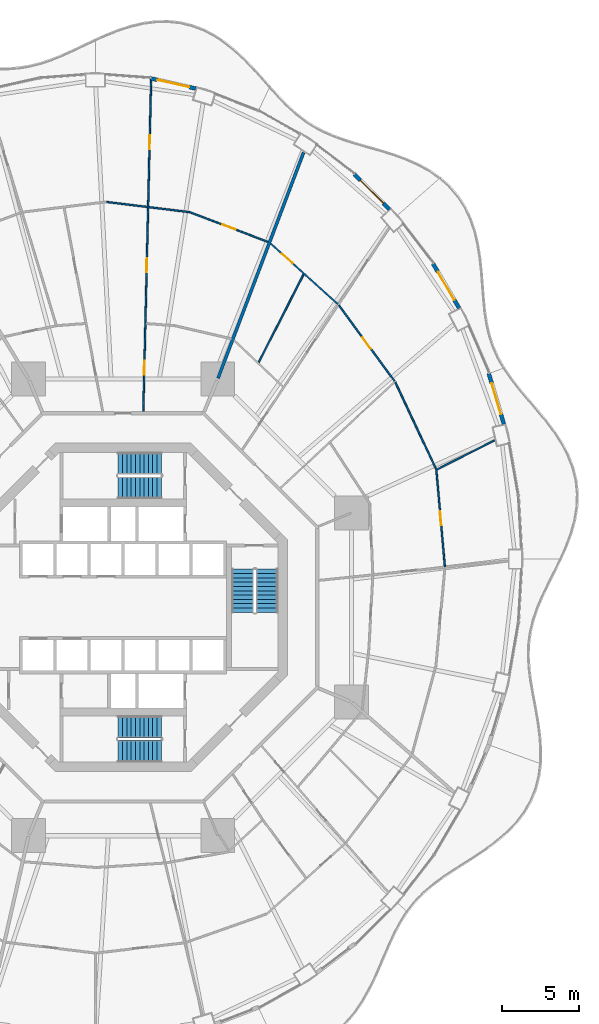
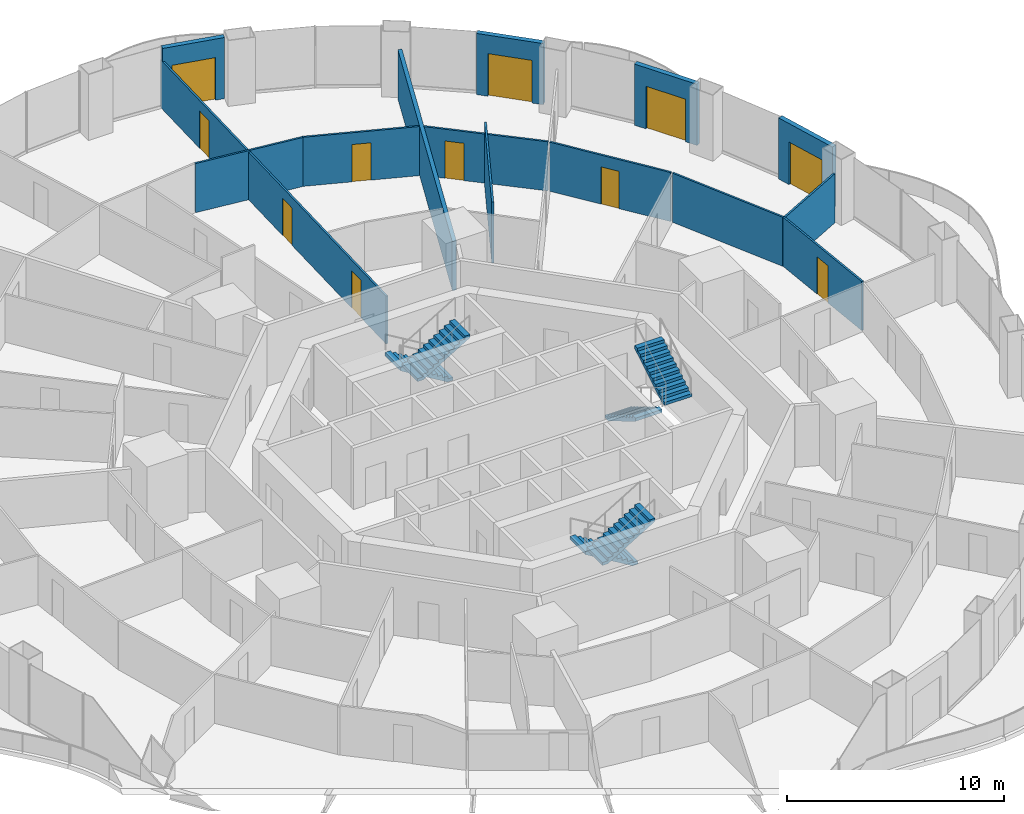
# One storey, part 19 of 22: 14 walls, 11 doors, 6 stair flights, 11 openings, 3 elements without a shape of their own.
"""IFC4 building model written with IfcOpenShell, lengths in metres."""

from ifc_helpers import new_model, si_unit, direction, frame, frame_2d, origin, place, context, subcontext, project, spatial, polyline, rectangle, outline, extrude, material, layer, layer_set, type_object, element, fill, aggregate, save


model = new_model("IFC4")

# Units and contexts
model_context = context("Model", 3, precision=1e-05, world=origin(), true_north=direction((0.0, 1.0)))
body_context = subcontext(model_context, "Body", "Model", "MODEL_VIEW")
ifc_project = project(units=[si_unit("LENGTHUNIT", "METRE"), si_unit("AREAUNIT", "SQUARE_METRE"), si_unit("VOLUMEUNIT", "CUBIC_METRE"), si_unit("PLANEANGLEUNIT", "RADIAN"), si_unit("MASSUNIT", "GRAM", prefix="KILO")], contexts=[model_context])

# Site, building, storey
site_placement = place(None, origin())
site = spatial("IfcSite", under=ifc_project, at=site_placement, CompositionType="ELEMENT")
building_placement = place(site_placement, origin())
building = spatial("IfcBuilding", under=site, at=building_placement, Name="Nagisa Residences", CompositionType="ELEMENT")
storey_placement = place(building_placement, frame((0.0, 0.0, 95.5)))
storey = spatial("IfcBuildingStorey", under=building, at=storey_placement, Name="L23", CompositionType="ELEMENT", Elevation=95.5)

# Wall
ifc_material_1 = material(Name="Gypsum board on steel studs", Category="steel")
ifc_layer_1 = layer(ifc_material_1, 0.199951171875)
ifc_layer_set_1 = layer_set([ifc_layer_1], Name="Apartment compartment wall EI60 200")
wall_type_1 = type_object("IfcWallType", Name="Apartment compartment wall EI60 200", PredefinedType="PARTITIONING", material=ifc_layer_set_1)
wall_1_placement = place(storey_placement, frame((6.140625, 14.828857421875, 0.0), z_axis=(0.0, 0.0, 1.0), x_axis=(0.354477134193, 0.935064682968, 0.0)))
element("IfcWall", 1, at=wall_1_placement, inside=storey, type_object=wall_type_1, Name="wall:L23:u01", PredefinedType="PARTITIONING", context=body_context, shape_type="SweptSolid", body=[
    extrude(rectangle(XDim=15.6259765625, YDim=0.199951171875, at=frame_2d((7.81298828125, 0.0))), origin(), (0.0, 0.0, 1.0), 2.761962890625),
])

# Wall, opening, door
ifc_material_2 = material(Name="Gypsum board on steel studs", Category="steel")
ifc_layer_2 = layer(ifc_material_2, 0.10009765625)
ifc_layer_set_2 = layer_set([ifc_layer_2], Name="Apartment partition 100")
wall_type_2 = type_object("IfcWallType", Name="Apartment partition 100", PredefinedType="PARTITIONING", material=ifc_layer_set_2)
wall_2_placement = place(storey_placement, frame((20.8251953125, 2.64208984375, 0.0), z_axis=(0.0, 0.0, 1.0), x_axis=(-0.08776338161, 0.996141349834, 0.0)))
wall_2 = element("IfcWall", 2, at=wall_2_placement, inside=storey, type_object=wall_type_2, Name="wall:L23:u21", PredefinedType="PARTITIONING", context=body_context, shape_type="SweptSolid", body=[
    extrude(rectangle(XDim=6.3369140625, YDim=0.10009765625, at=frame_2d((3.16845703125, 0.0))), origin(), (0.0, 0.0, 1.0), 2.761962890625),
])
opening_1_placement = place(wall_2_placement, frame((2.693603515625, 0.0, 0.0)))
opening_1 = element("IfcOpeningElement", 3, at=opening_1_placement, cuts=wall_2, Name="Opening L23-U33", PredefinedType="OPENING", context=body_context, shape_type="SweptSolid", body=[
    extrude(rectangle(XDim=0.89990234375, YDim=2.10009765625, at=frame_2d((0.449951171875, 1.050048828125))), frame((0.0, 0.06005859375, 0.0), z_axis=(0.0, -1.0, 0.0), x_axis=(1.0, 0.0, 0.0)), (0.0, 0.0, 1.0), 0.1201171875),
])
ifc_material_3 = material(Name="Timber door set", Category="wood")
door_type_1 = type_object("IfcDoorType", Name="Apartment door 900x2100", OperationType="NOTDEFINED", PredefinedType="DOOR", material=ifc_material_3)
door_1_placement = place(opening_1_placement, frame((0.89990234375, 0.0, 0.0), x_axis=(-1.0, 0.0, 0.0)))
door_1 = element("IfcDoor", 4, at=door_1_placement, inside=storey, type_object=door_type_1, Name="Door to bedroom, Apartment 23C", OperationType="SINGLE_SWING_RIGHT", OverallHeight=2.10009765625, OverallWidth=0.89990234375, PredefinedType="DOOR", context=body_context, shape_type="SweptSolid", body=[
    extrude(rectangle(XDim=0.89990234375, YDim=2.10009765625, at=frame_2d((0.449951171875, 1.050048828125))), frame((0.0, 0.02490234375, 0.0), z_axis=(0.0, -1.0, 0.0), x_axis=(1.0, 0.0, 0.0)), (0.0, 0.0, 1.0), 0.050048828125),
])
fill(opening_1, door_1)

# Walls
wall_3_placement = place(storey_placement, frame((20.318115234375, 8.92724609375, 0.0), z_axis=(0.0, 0.0, 1.0), x_axis=(0.892057836959, 0.451921249246, 0.0)))
element("IfcWall", 5, at=wall_3_placement, inside=storey, type_object=wall_type_2, Name="wall:L23:u25", PredefinedType="PARTITIONING", context=body_context, shape_type="SweptSolid", body=[
    extrude(rectangle(XDim=4.1640625, YDim=0.10009765625, at=frame_2d((2.08203125, 0.0))), origin(), (0.0, 0.0, 1.0), 2.761962890625),
])
wall_4_placement = place(storey_placement, frame((20.252197265625, 8.949951171875, 0.0), z_axis=(0.0, 0.0, 1.0), x_axis=(-0.424580052627, 0.90539040138, 0.0)))
element("IfcWall", 6, at=wall_4_placement, inside=storey, type_object=wall_type_2, Name="wall:L23:u26", PredefinedType="PARTITIONING", context=body_context, shape_type="SweptSolid", body=[
    extrude(rectangle(XDim=6.204345703125, YDim=0.10009765625, at=frame_2d((3.10205078125, 0.0))), origin(), (0.0, 0.0, 1.0), 2.761962890625),
])

# Wall, opening, door
wall_5_placement = place(storey_placement, frame((17.567138671875, 14.65283203125, 0.0), z_axis=(0.0, 0.0, 1.0), x_axis=(-0.592391983588, 0.80564988536, 0.0)))
wall_5 = element("IfcWall", 7, at=wall_5_placement, inside=storey, type_object=wall_type_2, Name="wall:L23:u28", PredefinedType="PARTITIONING", context=body_context, shape_type="SweptSolid", body=[
    extrude(rectangle(XDim=6.080078125, YDim=0.10009765625, at=frame_2d((3.0400390625, 0.0))), origin(), (0.0, 0.0, 1.0), 2.761962890625),
])
opening_2_placement = place(wall_5_placement, frame((2.590087890625, 0.0, 0.0)))
opening_2 = element("IfcOpeningElement", 8, at=opening_2_placement, cuts=wall_5, Name="Opening L23-U34", PredefinedType="OPENING", context=body_context, shape_type="SweptSolid", body=[
    extrude(rectangle(XDim=0.89990234375, YDim=2.10009765625, at=frame_2d((0.449951171875, 1.050048828125))), frame((0.0, 0.06005859375, 0.0), z_axis=(0.0, -1.0, 0.0), x_axis=(1.0, 0.0, 0.0)), (0.0, 0.0, 1.0), 0.1201171875),
])
door_2_placement = place(opening_2_placement, frame((0.89990234375, 0.0, 0.0), x_axis=(-1.0, 0.0, 0.0)))
door_2 = element("IfcDoor", 9, at=door_2_placement, inside=storey, type_object=door_type_1, Name="Door to living room, Apartment 23C", OperationType="SINGLE_SWING_LEFT", OverallHeight=2.10009765625, OverallWidth=0.89990234375, PredefinedType="DOOR", context=body_context, shape_type="SweptSolid", body=[
    extrude(rectangle(XDim=0.89990234375, YDim=2.10009765625, at=frame_2d((0.449951171875, 1.050048828125))), frame((0.0, 0.02490234375, 0.0), z_axis=(0.0, -1.0, 0.0), x_axis=(1.0, 0.0, 0.0)), (0.0, 0.0, 1.0), 0.050048828125),
])
fill(opening_2, door_2)

wall_6_placement = place(storey_placement, frame((13.8984375, 19.625244140625, 0.0), z_axis=(0.0, 0.0, 1.0), x_axis=(-0.742396654702, 0.669960601146, 0.0)))
wall_6 = element("IfcWall", 10, at=wall_6_placement, inside=storey, type_object=wall_type_2, Name="wall:L23:u31", PredefinedType="PARTITIONING", context=body_context, shape_type="SweptSolid", body=[
    extrude(rectangle(XDim=5.861083984375, YDim=0.10009765625, at=frame_2d((2.9306640625, 0.0))), origin(), (0.0, 0.0, 1.0), 2.761962890625),
])
opening_3_placement = place(wall_6_placement, frame((3.95849609375, 0.0, 0.0)))
opening_3 = element("IfcOpeningElement", 11, at=opening_3_placement, cuts=wall_6, Name="Opening L23-U38", PredefinedType="OPENING", context=body_context, shape_type="SweptSolid", body=[
    extrude(rectangle(XDim=0.89990234375, YDim=2.10009765625, at=frame_2d((0.449951171875, 1.050048828125))), frame((0.0, 0.06005859375, 0.0), z_axis=(0.0, -1.0, 0.0), x_axis=(1.0, 0.0, 0.0)), (0.0, 0.0, 1.0), 0.1201171875),
])
door_3_placement = place(opening_3_placement, origin())
door_3 = element("IfcDoor", 12, at=door_3_placement, inside=storey, type_object=door_type_1, Name="Door to en-suite bathroom, Apartment 23C", OperationType="SINGLE_SWING_RIGHT", OverallHeight=2.10009765625, OverallWidth=0.89990234375, PredefinedType="DOOR", context=body_context, shape_type="SweptSolid", body=[
    extrude(rectangle(XDim=0.89990234375, YDim=2.10009765625, at=frame_2d((0.449951171875, 1.050048828125))), frame((0.0, 0.02490234375, 0.0), z_axis=(0.0, -1.0, 0.0), x_axis=(1.0, 0.0, 0.0)), (0.0, 0.0, 1.0), 0.050048828125),
])
fill(opening_3, door_3)

# Wall
wall_7_placement = place(storey_placement, frame((8.769287109375, 15.84619140625, 0.0), z_axis=(0.0, 0.0, 1.0), x_axis=(0.454067187552, 0.890967445639, 0.0)))
element("IfcWall", 13, at=wall_7_placement, inside=storey, type_object=wall_type_2, Name="wall:L23:u32", PredefinedType="PARTITIONING", context=body_context, shape_type="SweptSolid", body=[
    extrude(rectangle(XDim=6.413818359375, YDim=0.10009765625, at=frame_2d((3.20703125, 0.0))), origin(), (0.0, 0.0, 1.0), 3.43994140625),
])

# Wall, opening, door
wall_8_placement = place(storey_placement, frame((9.37939453125, 23.654541015625, 0.0), z_axis=(0.0, 0.0, 1.0), x_axis=(-0.934609369022, 0.355675873986, 0.0)))
wall_8 = element("IfcWall", 14, at=wall_8_placement, inside=storey, type_object=wall_type_2, Name="wall:L23:u34", PredefinedType="PARTITIONING", context=body_context, shape_type="SweptSolid", body=[
    extrude(rectangle(XDim=5.466552734375, YDim=0.10009765625, at=frame_2d((2.7333984375, 0.0))), origin(), (0.0, 0.0, 1.0), 2.761962890625),
])
opening_4_placement = place(wall_8_placement, frame((2.25830078125, 0.0, 0.0)))
opening_4 = element("IfcOpeningElement", 15, at=opening_4_placement, cuts=wall_8, Name="Opening L23-U47", PredefinedType="OPENING", context=body_context, shape_type="SweptSolid", body=[
    extrude(rectangle(XDim=0.89990234375, YDim=2.10009765625, at=frame_2d((0.449951171875, 1.050048828125))), frame((0.0, 0.06005859375, 0.0), z_axis=(0.0, -1.0, 0.0), x_axis=(1.0, 0.0, 0.0)), (0.0, 0.0, 1.0), 0.1201171875),
])
door_4_placement = place(opening_4_placement, frame((0.89990234375, 0.0, 0.0), x_axis=(-1.0, 0.0, 0.0)))
door_4 = element("IfcDoor", 16, at=door_4_placement, inside=storey, type_object=door_type_1, Name="Door to living room, Apartment 23D", OperationType="SINGLE_SWING_RIGHT", OverallHeight=2.10009765625, OverallWidth=0.89990234375, PredefinedType="DOOR", context=body_context, shape_type="SweptSolid", body=[
    extrude(rectangle(XDim=0.89990234375, YDim=2.10009765625, at=frame_2d((0.449951171875, 1.050048828125))), frame((0.0, 0.02490234375, 0.0), z_axis=(0.0, -1.0, 0.0), x_axis=(1.0, 0.0, 0.0)), (0.0, 0.0, 1.0), 0.050048828125),
])
fill(opening_4, door_4)

# Wall
wall_9_placement = place(storey_placement, frame((4.267333984375, 25.587158203125, 0.0), z_axis=(0.0, 0.0, 1.0), x_axis=(-0.992576206119, 0.121624319302, 0.0)))
element("IfcWall", 17, at=wall_9_placement, inside=storey, type_object=wall_type_2, Name="wall:L23:u36", PredefinedType="PARTITIONING", context=body_context, shape_type="SweptSolid", body=[
    extrude(rectangle(XDim=5.37353515625, YDim=0.10009765625, at=frame_2d((2.686767578125, 0.0))), origin(), (0.0, 0.0, 1.0), 2.761962890625),
])

# Wall, openings, doors
wall_10_placement = place(storey_placement, frame((1.303466796875, 12.664794921875, 0.0), z_axis=(0.0, 0.0, 1.0), x_axis=(0.023564110689, 0.999722327793, 0.0)))
wall_10 = element("IfcWall", 18, at=wall_10_placement, inside=storey, type_object=wall_type_2, Name="wall:L23:u37", PredefinedType="PARTITIONING", context=body_context, shape_type="SweptSolid", body=[
    extrude(rectangle(XDim=21.664306640625, YDim=0.10009765625, at=frame_2d((10.83203125, 0.0))), origin(), (0.0, 0.0, 1.0), 2.68701171875),
])
opening_5_placement = place(wall_10_placement, frame((2.407470703125, 0.0, 0.0)))
opening_5 = element("IfcOpeningElement", 19, at=opening_5_placement, cuts=wall_10, Name="Opening L23-U42", PredefinedType="OPENING", context=body_context, shape_type="SweptSolid", body=[
    extrude(rectangle(XDim=0.89990234375, YDim=2.10009765625, at=frame_2d((0.449951171875, 1.050048828125))), frame((0.0, 0.06005859375, 0.0), z_axis=(0.0, -1.0, 0.0), x_axis=(1.0, 0.0, 0.0)), (0.0, 0.0, 1.0), 0.1201171875),
])
opening_6_placement = place(wall_10_placement, frame((9.03369140625, 0.0, 0.0)))
opening_6 = element("IfcOpeningElement", 20, at=opening_6_placement, cuts=wall_10, Name="Opening L23-U44", PredefinedType="OPENING", context=body_context, shape_type="SweptSolid", body=[
    extrude(rectangle(XDim=0.89990234375, YDim=2.10009765625, at=frame_2d((0.449951171875, 1.050048828125))), frame((0.0, 0.06005859375, 0.0), z_axis=(0.0, -1.0, 0.0), x_axis=(1.0, 0.0, 0.0)), (0.0, 0.0, 1.0), 0.1201171875),
])
opening_7_placement = place(wall_10_placement, frame((17.008544921875, 0.0, 0.0)))
opening_7 = element("IfcOpeningElement", 21, at=opening_7_placement, cuts=wall_10, Name="Opening L23-U48", PredefinedType="OPENING", context=body_context, shape_type="SweptSolid", body=[
    extrude(rectangle(XDim=0.89990234375, YDim=2.10009765625, at=frame_2d((0.449951171875, 1.050048828125))), frame((0.0, 0.06005859375, 0.0), z_axis=(0.0, -1.0, 0.0), x_axis=(1.0, 0.0, 0.0)), (0.0, 0.0, 1.0), 0.1201171875),
])
door_5_placement = place(opening_5_placement, frame((0.89990234375, 0.0, 0.0), x_axis=(-1.0, 0.0, 0.0)))
door_5 = element("IfcDoor", 22, at=door_5_placement, inside=storey, type_object=door_type_1, Name="Door to laundry, Apartment 23D", OperationType="SINGLE_SWING_LEFT", OverallHeight=2.10009765625, OverallWidth=0.89990234375, PredefinedType="DOOR", context=body_context, shape_type="SweptSolid", body=[
    extrude(rectangle(XDim=0.89990234375, YDim=2.10009765625, at=frame_2d((0.449951171875, 1.050048828125))), frame((0.0, 0.02490234375, 0.0), z_axis=(0.0, -1.0, 0.0), x_axis=(1.0, 0.0, 0.0)), (0.0, 0.0, 1.0), 0.050048828125),
])
fill(opening_5, door_5)
door_6_placement = place(opening_6_placement, frame((0.89990234375, 0.0, 0.0), x_axis=(-1.0, 0.0, 0.0)))
door_6 = element("IfcDoor", 23, at=door_6_placement, inside=storey, type_object=door_type_1, Name="Door to dining room, Apartment 23D", OperationType="SINGLE_SWING_LEFT", OverallHeight=2.10009765625, OverallWidth=0.89990234375, PredefinedType="DOOR", context=body_context, shape_type="SweptSolid", body=[
    extrude(rectangle(XDim=0.89990234375, YDim=2.10009765625, at=frame_2d((0.449951171875, 1.050048828125))), frame((0.0, 0.02490234375, 0.0), z_axis=(0.0, -1.0, 0.0), x_axis=(1.0, 0.0, 0.0)), (0.0, 0.0, 1.0), 0.050048828125),
])
fill(opening_6, door_6)
door_7_placement = place(opening_7_placement, origin())
door_7 = element("IfcDoor", 24, at=door_7_placement, inside=storey, type_object=door_type_1, Name="Door to family room, Apartment 23D", OperationType="SINGLE_SWING_RIGHT", OverallHeight=2.10009765625, OverallWidth=0.89990234375, PredefinedType="DOOR", context=body_context, shape_type="SweptSolid", body=[
    extrude(rectangle(XDim=0.89990234375, YDim=2.10009765625, at=frame_2d((0.449951171875, 1.050048828125))), frame((0.0, 0.02490234375, 0.0), z_axis=(0.0, -1.0, 0.0), x_axis=(1.0, 0.0, 0.0)), (0.0, 0.0, 1.0), 0.050048828125),
])
fill(opening_7, door_7)

# Wall, opening, door
ifc_material_4 = material(Name="Precast concrete C40/50", Category="concrete")
ifc_layer_3 = layer(ifc_material_4, 0.25)
ifc_layer_set_3 = layer_set([ifc_layer_3], Name="BALCONY DOOR WALL 250")
wall_type_3 = type_object("IfcWallType", Name="BALCONY DOOR WALL 250", PredefinedType="SOLIDWALL", material=ifc_layer_set_3)
wall_11_placement = place(storey_placement, frame((23.6669921875, 15.142333984375, 0.0), z_axis=(0.0, 0.0, 1.0), x_axis=(0.285882094477, -0.958264800594, 0.0)))
wall_11 = element("IfcWall", 25, at=wall_11_placement, inside=storey, type_object=wall_type_3, Name="wall:L23:bay02", PredefinedType="SOLIDWALL", context=body_context, shape_type="SweptSolid", body=[
    extrude(rectangle(XDim=3.423583984375, YDim=0.25, at=frame_2d((1.7119140625, 0.0))), origin(), (0.0, 0.0, 1.0), 3.43994140625),
])
opening_8_placement = place(wall_11_placement, frame((0.661865234375, 0.0, 0.0)))
opening_8 = element("IfcOpeningElement", 26, at=opening_8_placement, cuts=wall_11, Name="Opening BD-L23-01", PredefinedType="OPENING", context=body_context, shape_type="SweptSolid", body=[
    extrude(rectangle(XDim=2.10009765625, YDim=2.39990234375, at=frame_2d((1.050048828125, 1.199951171875))), frame((0.0, 0.135009765625, 0.0), z_axis=(0.0, -1.0, 0.0), x_axis=(1.0, 0.0, 0.0)), (0.0, 0.0, 1.0), 0.27001953125),
])
ifc_material_5 = material(Name="Aluminium and clear glass", Category="aluminium")
door_type_2 = type_object("IfcDoorType", Name="BALCONY SLIDING DOOR 2100x2400", OperationType="SLIDING_TO_LEFT", PredefinedType="DOOR", material=ifc_material_5)
door_8_placement = place(opening_8_placement, origin())
door_8 = element("IfcDoor", 27, at=door_8_placement, inside=storey, type_object=door_type_2, Name="door:L23:bay02", OperationType="SLIDING_TO_LEFT", OverallHeight=2.39990234375, OverallWidth=2.10009765625, PredefinedType="DOOR", context=body_context, shape_type="SweptSolid", body=[
    extrude(rectangle(XDim=2.10009765625, YDim=2.39990234375, at=frame_2d((1.050048828125, 1.199951171875))), frame((0.0, 0.02490234375, 0.0), z_axis=(0.0, -1.0, 0.0), x_axis=(1.0, 0.0, 0.0)), (0.0, 0.0, 1.0), 0.050048828125),
])
fill(opening_8, door_8)

wall_12_placement = place(storey_placement, frame((20.064208984375, 22.239501953125, 0.0), z_axis=(0.0, 0.0, 1.0), x_axis=(0.506297921217, -0.862358634775, 0.0)))
wall_12 = element("IfcWall", 28, at=wall_12_placement, inside=storey, type_object=wall_type_3, Name="wall:L23:bay04", PredefinedType="SOLIDWALL", context=body_context, shape_type="SweptSolid", body=[
    extrude(rectangle(XDim=3.32470703125, YDim=0.25, at=frame_2d((1.662353515625, 0.0))), origin(), (0.0, 0.0, 1.0), 3.43994140625),
])
opening_9_placement = place(wall_12_placement, frame((0.6123046875, 0.0, 0.0)))
opening_9 = element("IfcOpeningElement", 29, at=opening_9_placement, cuts=wall_12, Name="Opening BD-L23-02", PredefinedType="OPENING", context=body_context, shape_type="SweptSolid", body=[
    extrude(rectangle(XDim=2.10009765625, YDim=2.39990234375, at=frame_2d((1.050048828125, 1.199951171875))), frame((0.0, 0.135009765625, 0.0), z_axis=(0.0, -1.0, 0.0), x_axis=(1.0, 0.0, 0.0)), (0.0, 0.0, 1.0), 0.27001953125),
])
door_9_placement = place(opening_9_placement, origin())
door_9 = element("IfcDoor", 30, at=door_9_placement, inside=storey, type_object=door_type_2, Name="door:L23:bay04", OperationType="SLIDING_TO_LEFT", OverallHeight=2.39990234375, OverallWidth=2.10009765625, PredefinedType="DOOR", context=body_context, shape_type="SweptSolid", body=[
    extrude(rectangle(XDim=2.10009765625, YDim=2.39990234375, at=frame_2d((1.050048828125, 1.199951171875))), frame((0.0, 0.02490234375, 0.0), z_axis=(0.0, -1.0, 0.0), x_axis=(1.0, 0.0, 0.0)), (0.0, 0.0, 1.0), 0.050048828125),
])
fill(opening_9, door_9)

wall_13_placement = place(storey_placement, frame((14.971435546875, 28.03173828125, 0.0), z_axis=(0.0, 0.0, 1.0), x_axis=(0.707793551437, -0.706419343269, 0.0)))
wall_13 = element("IfcWall", 31, at=wall_13_placement, inside=storey, type_object=wall_type_3, Name="wall:L23:bay06", PredefinedType="SOLIDWALL", context=body_context, shape_type="SweptSolid", body=[
    extrude(rectangle(XDim=3.19775390625, YDim=0.25, at=frame_2d((1.598876953125, 0.0))), origin(), (0.0, 0.0, 1.0), 3.43994140625),
])
opening_10_placement = place(wall_13_placement, frame((0.548828125, 0.0, 0.0)))
opening_10 = element("IfcOpeningElement", 32, at=opening_10_placement, cuts=wall_13, Name="Opening BD-L23-03", PredefinedType="OPENING", context=body_context, shape_type="SweptSolid", body=[
    extrude(rectangle(XDim=2.10009765625, YDim=2.39990234375, at=frame_2d((1.050048828125, 1.199951171875))), frame((0.0, 0.135009765625, 0.0), z_axis=(0.0, -1.0, 0.0), x_axis=(1.0, 0.0, 0.0)), (0.0, 0.0, 1.0), 0.27001953125),
])
door_10_placement = place(opening_10_placement, origin())
door_10 = element("IfcDoor", 33, at=door_10_placement, inside=storey, type_object=door_type_2, Name="door:L23:bay06", OperationType="SLIDING_TO_LEFT", OverallHeight=2.39990234375, OverallWidth=2.10009765625, PredefinedType="DOOR", context=body_context, shape_type="SweptSolid", body=[
    extrude(rectangle(XDim=2.10009765625, YDim=2.39990234375, at=frame_2d((1.050048828125, 1.199951171875))), frame((0.0, 0.02490234375, 0.0), z_axis=(0.0, -1.0, 0.0), x_axis=(1.0, 0.0, 0.0)), (0.0, 0.0, 1.0), 0.050048828125),
])
fill(opening_10, door_10)

wall_14_placement = place(storey_placement, frame((1.787353515625, 34.2412109375, 0.0), z_axis=(0.0, 0.0, 1.0), x_axis=(0.975317607872, -0.220806620767, 0.0)))
wall_14 = element("IfcWall", 34, at=wall_14_placement, inside=storey, type_object=wall_type_3, Name="wall:L23:bay10", PredefinedType="SOLIDWALL", context=body_context, shape_type="SweptSolid", body=[
    extrude(rectangle(XDim=2.9931640625, YDim=0.25, at=frame_2d((1.49658203125, 0.0))), origin(), (0.0, 0.0, 1.0), 3.43994140625),
])
opening_11_placement = place(wall_14_placement, frame((0.446533203125, 0.0, 0.0)))
opening_11 = element("IfcOpeningElement", 35, at=opening_11_placement, cuts=wall_14, Name="Opening BD-L23-04", PredefinedType="OPENING", context=body_context, shape_type="SweptSolid", body=[
    extrude(rectangle(XDim=2.10009765625, YDim=2.39990234375, at=frame_2d((1.050048828125, 1.199951171875))), frame((0.0, 0.135009765625, 0.0), z_axis=(0.0, -1.0, 0.0), x_axis=(1.0, 0.0, 0.0)), (0.0, 0.0, 1.0), 0.27001953125),
])
door_11_placement = place(opening_11_placement, origin())
door_11 = element("IfcDoor", 36, at=door_11_placement, inside=storey, type_object=door_type_2, Name="door:L23:bay10", OperationType="SLIDING_TO_LEFT", OverallHeight=2.39990234375, OverallWidth=2.10009765625, PredefinedType="DOOR", context=body_context, shape_type="SweptSolid", body=[
    extrude(rectangle(XDim=2.10009765625, YDim=2.39990234375, at=frame_2d((1.050048828125, 1.199951171875))), frame((0.0, 0.02490234375, 0.0), z_axis=(0.0, -1.0, 0.0), x_axis=(1.0, 0.0, 0.0)), (0.0, 0.0, 1.0), 0.050048828125),
])
fill(opening_11, door_11)

# Stair, stair flights
ifc_material_6 = material(Name="Concrete C60", Category="concrete")
stair_type = type_object("IfcStairType", Name="Exit stair", PredefinedType="HALF_TURN_STAIR", material=ifc_material_6)
stair_1_placement = place(storey_placement, origin())
stair_1 = element("IfcStair", 37, at=stair_1_placement, inside=storey, type_object=stair_type, Name="L23 Exit stair E", PredefinedType="HALF_TURN_STAIR")
ifc_material_7 = material(Name="Concrete C60", Category="concrete")
stair_flight_type = type_object("IfcStairFlightType", Name="Exit stair flight", PredefinedType="STRAIGHT", material=ifc_material_7)
stair_flight_1_placement = place(storey_placement, frame((7.737060546875, 2.47509765625, 0.0), z_axis=(0.0, 0.0, 1.0), x_axis=(0.0, -1.0, 0.0)))
stair_flight_1 = element("IfcStairFlight", 38, at=stair_flight_1_placement, type_object=stair_flight_type, Name="ST-E flight 1", NumberOfRisers=11, NumberOfTreads=10, PredefinedType="STRAIGHT", RiserHeight=0.168181818, TreadLength=0.28, context=body_context, shape_type="SweptSolid", body=[
    extrude(outline(polyline([(0.0, 0.0), (0.0, 0.168212890625), (0.280029296875, 0.168212890625), (0.280029296875, 0.33642578125), (0.56005859375, 0.33642578125), (0.56005859375, 0.504638671875), (0.840087890625, 0.504638671875), (0.840087890625, 0.672607421875), (1.1201171875, 0.672607421875), (1.1201171875, 0.8408203125), (1.39990234375, 0.8408203125), (1.39990234375, 1.009033203125), (1.679931640625, 1.009033203125), (1.679931640625, 1.17724609375), (1.9599609375, 1.17724609375), (1.9599609375, 1.345458984375), (2.239990234375, 1.345458984375), (2.239990234375, 1.513671875), (2.52001953125, 1.513671875), (2.52001953125, 1.681884765625), (2.800048828125, 1.681884765625), (2.800048828125, 1.85009765625), (2.800048828125, 1.5068359375), (0.291015625, 0.0), (0.0, 0.0)])), frame((0.0, 0.71240234375, 0.0), z_axis=(0.0, -1.0, 0.0), x_axis=(1.0, 0.0, 0.0)), (0.0, 0.0, 1.0), 1.425048828125),
])
stair_flight_2_placement = place(storey_placement, frame((9.31201171875, -0.324951171875, 1.85009765625), z_axis=(0.0, 0.0, 1.0), x_axis=(0.0, 1.0, 0.0)))
stair_flight_2 = element("IfcStairFlight", 39, at=stair_flight_2_placement, type_object=stair_flight_type, Name="ST-E flight 2", NumberOfRisers=11, NumberOfTreads=10, PredefinedType="STRAIGHT", RiserHeight=0.168181818, TreadLength=0.28, context=body_context, shape_type="SweptSolid", body=[
    extrude(outline(polyline([(0.0, 0.0), (0.0, 0.168212890625), (0.280029296875, 0.168212890625), (0.280029296875, 0.33642578125), (0.56005859375, 0.33642578125), (0.56005859375, 0.504638671875), (0.840087890625, 0.504638671875), (0.840087890625, 0.672607421875), (1.1201171875, 0.672607421875), (1.1201171875, 0.8408203125), (1.39990234375, 0.8408203125), (1.39990234375, 1.009033203125), (1.679931640625, 1.009033203125), (1.679931640625, 1.17724609375), (1.9599609375, 1.17724609375), (1.9599609375, 1.345458984375), (2.239990234375, 1.345458984375), (2.239990234375, 1.513671875), (2.52001953125, 1.513671875), (2.52001953125, 1.681884765625), (2.800048828125, 1.681884765625), (2.800048828125, 1.85009765625), (2.800048828125, 1.5068359375), (0.291015625, 0.0), (0.0, 0.0)])), frame((0.0, 0.71240234375, 0.0), z_axis=(0.0, -1.0, 0.0), x_axis=(1.0, 0.0, 0.0)), (0.0, 0.0, 1.0), 1.425048828125),
])
aggregate(stair_1, [stair_flight_1, stair_flight_2])

stair_2_placement = place(storey_placement, origin())
stair_2 = element("IfcStair", 40, at=stair_2_placement, inside=storey, type_object=stair_type, Name="L23 Exit stair N", PredefinedType="HALF_TURN_STAIR")
stair_flight_3_placement = place(storey_placement, frame((2.47509765625, 9.31201171875, 0.0), z_axis=(0.0, 0.0, 1.0), x_axis=(-1.0, 0.0, 0.0)))
stair_flight_3 = element("IfcStairFlight", 41, at=stair_flight_3_placement, type_object=stair_flight_type, Name="ST-N flight 1", NumberOfRisers=11, NumberOfTreads=10, PredefinedType="STRAIGHT", RiserHeight=0.168181818, TreadLength=0.28, context=body_context, shape_type="SweptSolid", body=[
    extrude(outline(polyline([(0.0, 0.0), (0.0, 0.168212890625), (0.280029296875, 0.168212890625), (0.280029296875, 0.33642578125), (0.56005859375, 0.33642578125), (0.56005859375, 0.504638671875), (0.840087890625, 0.504638671875), (0.840087890625, 0.672607421875), (1.1201171875, 0.672607421875), (1.1201171875, 0.8408203125), (1.39990234375, 0.8408203125), (1.39990234375, 1.009033203125), (1.679931640625, 1.009033203125), (1.679931640625, 1.17724609375), (1.9599609375, 1.17724609375), (1.9599609375, 1.345458984375), (2.239990234375, 1.345458984375), (2.239990234375, 1.513671875), (2.52001953125, 1.513671875), (2.52001953125, 1.681884765625), (2.800048828125, 1.681884765625), (2.800048828125, 1.85009765625), (2.800048828125, 1.5068359375), (0.291015625, 0.0), (0.0, 0.0)])), frame((0.0, 0.71240234375, 0.0), z_axis=(0.0, -1.0, 0.0), x_axis=(1.0, 0.0, 0.0)), (0.0, 0.0, 1.0), 1.425048828125),
])
stair_flight_4_placement = place(storey_placement, frame((-0.324951171875, 7.737060546875, 1.85009765625), z_axis=(0.0, 0.0, 1.0), x_axis=(1.0, 0.0, 0.0)))
stair_flight_4 = element("IfcStairFlight", 42, at=stair_flight_4_placement, type_object=stair_flight_type, Name="ST-N flight 2", NumberOfRisers=11, NumberOfTreads=10, PredefinedType="STRAIGHT", RiserHeight=0.168181818, TreadLength=0.28, context=body_context, shape_type="SweptSolid", body=[
    extrude(outline(polyline([(0.0, 0.0), (0.0, 0.168212890625), (0.280029296875, 0.168212890625), (0.280029296875, 0.33642578125), (0.56005859375, 0.33642578125), (0.56005859375, 0.504638671875), (0.840087890625, 0.504638671875), (0.840087890625, 0.672607421875), (1.1201171875, 0.672607421875), (1.1201171875, 0.8408203125), (1.39990234375, 0.8408203125), (1.39990234375, 1.009033203125), (1.679931640625, 1.009033203125), (1.679931640625, 1.17724609375), (1.9599609375, 1.17724609375), (1.9599609375, 1.345458984375), (2.239990234375, 1.345458984375), (2.239990234375, 1.513671875), (2.52001953125, 1.513671875), (2.52001953125, 1.681884765625), (2.800048828125, 1.681884765625), (2.800048828125, 1.85009765625), (2.800048828125, 1.5068359375), (0.291015625, 0.0), (0.0, 0.0)])), frame((0.0, 0.71240234375, 0.0), z_axis=(0.0, -1.0, 0.0), x_axis=(1.0, 0.0, 0.0)), (0.0, 0.0, 1.0), 1.425048828125),
])
aggregate(stair_2, [stair_flight_3, stair_flight_4])

stair_3_placement = place(storey_placement, origin())
stair_3 = element("IfcStair", 43, at=stair_3_placement, inside=storey, type_object=stair_type, Name="L23 Exit stair S", PredefinedType="HALF_TURN_STAIR")
stair_flight_5_placement = place(storey_placement, frame((2.47509765625, -7.737060546875, 0.0), z_axis=(0.0, 0.0, 1.0), x_axis=(-1.0, 0.0, 0.0)))
stair_flight_5 = element("IfcStairFlight", 44, at=stair_flight_5_placement, type_object=stair_flight_type, Name="ST-S flight 1", NumberOfRisers=11, NumberOfTreads=10, PredefinedType="STRAIGHT", RiserHeight=0.168181818, TreadLength=0.28, context=body_context, shape_type="SweptSolid", body=[
    extrude(outline(polyline([(0.0, 0.0), (0.0, 0.168212890625), (0.280029296875, 0.168212890625), (0.280029296875, 0.33642578125), (0.56005859375, 0.33642578125), (0.56005859375, 0.504638671875), (0.840087890625, 0.504638671875), (0.840087890625, 0.672607421875), (1.1201171875, 0.672607421875), (1.1201171875, 0.8408203125), (1.39990234375, 0.8408203125), (1.39990234375, 1.009033203125), (1.679931640625, 1.009033203125), (1.679931640625, 1.17724609375), (1.9599609375, 1.17724609375), (1.9599609375, 1.345458984375), (2.239990234375, 1.345458984375), (2.239990234375, 1.513671875), (2.52001953125, 1.513671875), (2.52001953125, 1.681884765625), (2.800048828125, 1.681884765625), (2.800048828125, 1.85009765625), (2.800048828125, 1.5068359375), (0.291015625, 0.0), (0.0, 0.0)])), frame((0.0, 0.71240234375, 0.0), z_axis=(0.0, -1.0, 0.0), x_axis=(1.0, 0.0, 0.0)), (0.0, 0.0, 1.0), 1.425048828125),
])
stair_flight_6_placement = place(storey_placement, frame((-0.324951171875, -9.31201171875, 1.85009765625), z_axis=(0.0, 0.0, 1.0), x_axis=(1.0, 0.0, 0.0)))
stair_flight_6 = element("IfcStairFlight", 45, at=stair_flight_6_placement, type_object=stair_flight_type, Name="ST-S flight 2", NumberOfRisers=11, NumberOfTreads=10, PredefinedType="STRAIGHT", RiserHeight=0.168181818, TreadLength=0.28, context=body_context, shape_type="SweptSolid", body=[
    extrude(outline(polyline([(0.0, 0.0), (0.0, 0.168212890625), (0.280029296875, 0.168212890625), (0.280029296875, 0.33642578125), (0.56005859375, 0.33642578125), (0.56005859375, 0.504638671875), (0.840087890625, 0.504638671875), (0.840087890625, 0.672607421875), (1.1201171875, 0.672607421875), (1.1201171875, 0.8408203125), (1.39990234375, 0.8408203125), (1.39990234375, 1.009033203125), (1.679931640625, 1.009033203125), (1.679931640625, 1.17724609375), (1.9599609375, 1.17724609375), (1.9599609375, 1.345458984375), (2.239990234375, 1.345458984375), (2.239990234375, 1.513671875), (2.52001953125, 1.513671875), (2.52001953125, 1.681884765625), (2.800048828125, 1.681884765625), (2.800048828125, 1.85009765625), (2.800048828125, 1.5068359375), (0.291015625, 0.0), (0.0, 0.0)])), frame((0.0, 0.71240234375, 0.0), z_axis=(0.0, -1.0, 0.0), x_axis=(1.0, 0.0, 0.0)), (0.0, 0.0, 1.0), 1.425048828125),
])
aggregate(stair_3, [stair_flight_5, stair_flight_6])

save(model, "model.ifc")
